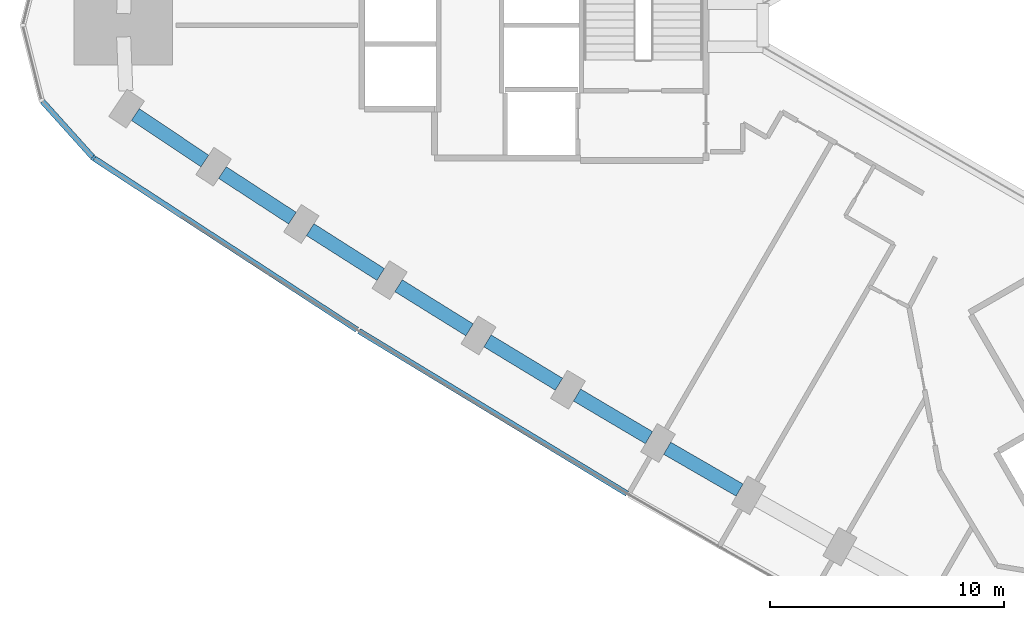
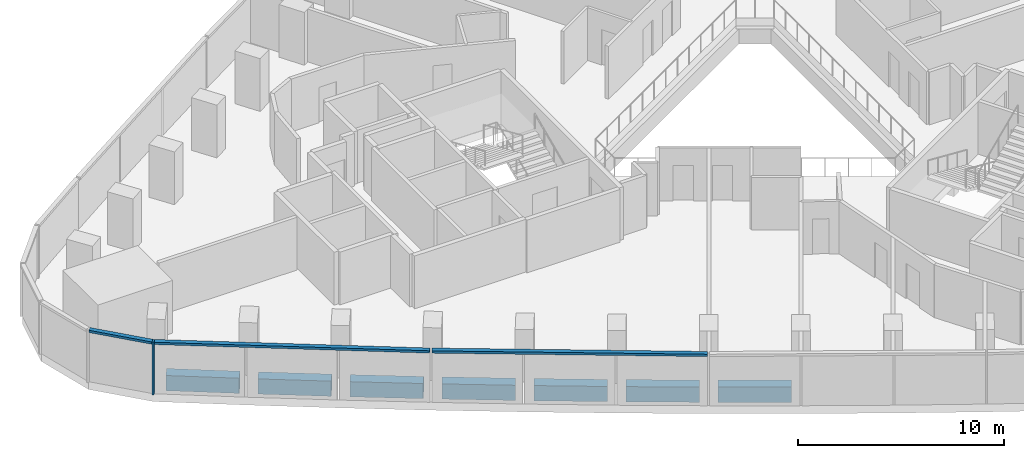
# One storey, part 2 of 13: 7 beams, 4 members, 2 elements without a shape of their own.
"""IFC4 building model written with IfcOpenShell, lengths in metres."""

from ifc_helpers import new_model, si_unit, direction, frame, origin, origin_2d, place, context, subcontext, project, spatial, rectangle, extrude, material, material_profile, profile_set, type_object, element, aggregate, save


model = new_model("IFC4")

# Units and contexts
model_context = context("Model", 3, precision=1e-05, world=origin(), true_north=direction((0.0, 1.0)))
body_context = subcontext(model_context, "Body", "Model", "MODEL_VIEW")
ifc_project = project(units=[si_unit("LENGTHUNIT", "METRE"), si_unit("AREAUNIT", "SQUARE_METRE"), si_unit("VOLUMEUNIT", "CUBIC_METRE"), si_unit("PLANEANGLEUNIT", "RADIAN"), si_unit("MASSUNIT", "GRAM", prefix="KILO")], contexts=[model_context])

# Site, building, storey
site_placement = place(None, origin())
site = spatial("IfcSite", under=ifc_project, at=site_placement, CompositionType="ELEMENT")
building_placement = place(site_placement, origin())
building = spatial("IfcBuilding", under=site, at=building_placement, Name="Tamra Quay Hotel Tower", CompositionType="ELEMENT")
storey_placement = place(building_placement, frame((0.0, 0.0, 49.39990234375)))
storey = spatial("IfcBuildingStorey", under=building, at=storey_placement, Name="L10", CompositionType="ELEMENT", Elevation=49.39990234375)

# Curtain wall, member
ifc_material_1 = material(Name="Aluminium 6063 anodised dark grey", Category="aluminium")
curtain_wall_type_1 = type_object("IfcCurtainWallType", Name="CW3 CURTAIN WALL", PredefinedType="NOTDEFINED", material=ifc_material_1)
curtain_wall_1_placement = place(storey_placement, origin())
curtain_wall_1 = element("IfcCurtainWall", 1, at=curtain_wall_1_placement, inside=storey, type_object=curtain_wall_type_1, Name="CW3 south-west face L10", PredefinedType="NOTDEFINED")
ifc_material_profile_1 = material_profile(ifc_material_1, rectangle(XDim=0.239990234375, YDim=0.10009765625, at=origin_2d()), Name="MULLION 100X240")
ifc_profile_set_1 = profile_set([ifc_material_profile_1], Name="Aluminium 6063 anodised dark grey")
member_type_1 = type_object("IfcMemberType", Name="MULLION CW3 Z1", PredefinedType="MULLION", material=ifc_profile_set_1)
member_1_placement = place(storey_placement, frame((-37.001708984375, -5.6669921875, 0.0), z_axis=(0.0, 0.0, 1.0), x_axis=(-0.654196739281, -0.756324418695, 0.0)))
member_1 = element("IfcMember", 2, at=member_1_placement, type_object=member_type_1, Name="CW3 mullion L10.SW.1", PredefinedType="MULLION", context=body_context, shape_type="SweptSolid", body=[
    extrude(rectangle(XDim=0.239990234375, YDim=0.10009765625, at=origin_2d()), origin(), (0.0, 0.0, 1.0), 3.125),
])

# Beams
ifc_material_2 = material(Name="Concrete M60", Category="concrete")
ifc_material_profile_2 = material_profile(ifc_material_2, rectangle(XDim=0.60009765625, YDim=0.89990234375, at=origin_2d()), Name="SPANDREL BEAM RC 600x900")
ifc_profile_set_2 = profile_set([ifc_material_profile_2], Name="Concrete M60")
beam_type = type_object("IfcBeamType", Name="SPANDREL BEAM RC 600x900", PredefinedType="SPANDREL", material=ifc_profile_set_2)
beam_1_placement = place(storey_placement, frame((-35.209228515625, -3.814697265625, -0.9248046875), z_axis=(0.831818807601, -0.555047269448, 0.0), x_axis=(0.555047269448, 0.831818807601, 0.0)))
element("IfcBeam", 3, at=beam_1_placement, inside=storey, type_object=beam_type, Name="BM-SP1-030-L10", PredefinedType="SPANDREL", context=body_context, shape_type="SweptSolid", body=[
    extrude(rectangle(XDim=0.60009765625, YDim=0.89990234375, at=origin_2d()), origin(), (0.0, 0.0, 1.0), 3.57080078125),
])
beam_2_placement = place(storey_placement, frame((-31.48779296875, -6.292236328125, -0.9248046875), z_axis=(0.837739819239, -0.546069588296, 0.0), x_axis=(0.546069588296, 0.837739819239, 0.0)))
element("IfcBeam", 4, at=beam_2_placement, inside=storey, type_object=beam_type, Name="BM-SP1-031-L10", PredefinedType="SPANDREL", context=body_context, shape_type="SweptSolid", body=[
    extrude(rectangle(XDim=0.60009765625, YDim=0.89990234375, at=origin_2d()), origin(), (0.0, 0.0, 1.0), 3.570068359375),
])
beam_3_placement = place(storey_placement, frame((-27.740478515625, -8.729248046875, -0.9248046875), z_axis=(0.843593906333, -0.53698167678, 0.0), x_axis=(0.53698167678, 0.843593906333, 0.0)))
element("IfcBeam", 5, at=beam_3_placement, inside=storey, type_object=beam_type, Name="BM-SP1-032-L10", PredefinedType="SPANDREL", context=body_context, shape_type="SweptSolid", body=[
    extrude(rectangle(XDim=0.60009765625, YDim=0.89990234375, at=origin_2d()), origin(), (0.0, 0.0, 1.0), 3.5703125),
])
beam_4_placement = place(storey_placement, frame((-23.966552734375, -11.125732421875, -0.9248046875), z_axis=(0.849320953317, -0.527876802158, 0.0), x_axis=(0.527876802158, 0.849320953317, 0.0)))
element("IfcBeam", 6, at=beam_4_placement, inside=storey, type_object=beam_type, Name="BM-SP1-033-L10", PredefinedType="SPANDREL", context=body_context, shape_type="SweptSolid", body=[
    extrude(rectangle(XDim=0.60009765625, YDim=0.89990234375, at=origin_2d()), origin(), (0.0, 0.0, 1.0), 3.570556640625),
])
beam_5_placement = place(storey_placement, frame((-20.1669921875, -13.4814453125, -0.9248046875), z_axis=(0.854966252085, -0.518683629775, 0.0), x_axis=(0.518683629775, 0.854966252085, 0.0)))
element("IfcBeam", 7, at=beam_5_placement, inside=storey, type_object=beam_type, Name="BM-SP1-034-L10", PredefinedType="SPANDREL", context=body_context, shape_type="SweptSolid", body=[
    extrude(rectangle(XDim=0.60009765625, YDim=0.89990234375, at=origin_2d()), origin(), (0.0, 0.0, 1.0), 3.56982421875),
])
beam_6_placement = place(storey_placement, frame((-16.3427734375, -15.79541015625, -0.9248046875), z_axis=(0.860524689034, -0.509408735264, 0.0), x_axis=(0.509408735264, 0.860524689034, 0.0)))
element("IfcBeam", 8, at=beam_6_placement, inside=storey, type_object=beam_type, Name="BM-SP1-035-L10", PredefinedType="SPANDREL", context=body_context, shape_type="SweptSolid", body=[
    extrude(rectangle(XDim=0.60009765625, YDim=0.89990234375, at=origin_2d()), origin(), (0.0, 0.0, 1.0), 3.570556640625),
])
beam_7_placement = place(storey_placement, frame((-12.493408203125, -18.068359375, -0.9248046875), z_axis=(0.866017069707, -0.500014434768, 0.0), x_axis=(0.500014434768, 0.866017069707, 0.0)))
element("IfcBeam", 9, at=beam_7_placement, inside=storey, type_object=beam_type, Name="BM-SP1-036-L10", PredefinedType="SPANDREL", context=body_context, shape_type="SweptSolid", body=[
    extrude(rectangle(XDim=0.60009765625, YDim=0.89990234375, at=origin_2d()), origin(), (0.0, 0.0, 1.0), 3.57080078125),
])

# Curtain wall, member
curtain_wall_type_2 = type_object("IfcCurtainWallType", Name="CW2 CURTAIN WALL", PredefinedType="NOTDEFINED", material=ifc_material_1)
curtain_wall_2_placement = place(storey_placement, origin())
curtain_wall_2 = element("IfcCurtainWall", 10, at=curtain_wall_2_placement, inside=storey, type_object=curtain_wall_type_2, Name="CW2 north-west face L10", PredefinedType="NOTDEFINED")
ifc_material_profile_3 = material_profile(ifc_material_1, rectangle(XDim=0.239990234375, YDim=0.139892578125, at=origin_2d()), Name="TRANSOM 240X140")
ifc_profile_set_3 = profile_set([ifc_material_profile_3], Name="Aluminium 6063 anodised dark grey")
member_type_2 = type_object("IfcMemberType", Name="TRANSOM CW2 Z1", PredefinedType="USERDEFINED", material=ifc_profile_set_3)
member_2_placement = place(storey_placement, frame((-39.18115234375, -3.246337890625, 3.05517578125), z_axis=(0.669103504087, -0.743169227577, 0.0), x_axis=(0.743169227577, 0.669103504087, 0.0)))
member_2 = element("IfcMember", 11, at=member_2_placement, type_object=member_type_2, Name="CW2 transom L10.NW.17", ObjectType="TRANSOM", PredefinedType="USERDEFINED", context=body_context, shape_type="SweptSolid", body=[
    extrude(rectangle(XDim=0.239990234375, YDim=0.139892578125, at=origin_2d()), origin(), (0.0, 0.0, 1.0), 3.207275390625),
])
aggregate(curtain_wall_2, [member_2])

# Member
ifc_material_profile_4 = material_profile(ifc_material_1, rectangle(XDim=0.239990234375, YDim=0.139892578125, at=origin_2d()), Name="TRANSOM 240X140")
ifc_profile_set_4 = profile_set([ifc_material_profile_4], Name="Aluminium 6063 anodised dark grey")
member_type_3 = type_object("IfcMemberType", Name="TRANSOM CW3 Z1", PredefinedType="USERDEFINED", material=ifc_profile_set_4)
member_3_placement = place(storey_placement, frame((-36.9599609375, -5.69482421875, 3.05517578125), z_axis=(0.837738597212, -0.546071463036, 0.0), x_axis=(0.546071463036, 0.837738597212, 0.0)))
member_3 = element("IfcMember", 12, at=member_3_placement, type_object=member_type_3, Name="CW3 transom L10.SW.1", ObjectType="TRANSOM", PredefinedType="USERDEFINED", context=body_context, shape_type="SweptSolid", body=[
    extrude(rectangle(XDim=0.239990234375, YDim=0.139892578125, at=origin_2d()), origin(), (0.0, 0.0, 1.0), 13.39208984375),
])

member_4_placement = place(storey_placement, frame((-25.656494140625, -13.061279296875, 3.05517578125), z_axis=(0.854996255935, -0.518634170044, 0.0), x_axis=(0.518634170044, 0.854996255935, 0.0)))
member_4 = element("IfcMember", 13, at=member_4_placement, type_object=member_type_3, Name="CW3 transom L10.SW.4", ObjectType="TRANSOM", PredefinedType="USERDEFINED", context=body_context, shape_type="SweptSolid", body=[
    extrude(rectangle(XDim=0.239990234375, YDim=0.139892578125, at=origin_2d()), origin(), (0.0, 0.0, 1.0), 13.39306640625),
])

aggregate(curtain_wall_1, [member_1, member_3, member_4])

save(model, "model.ifc")
